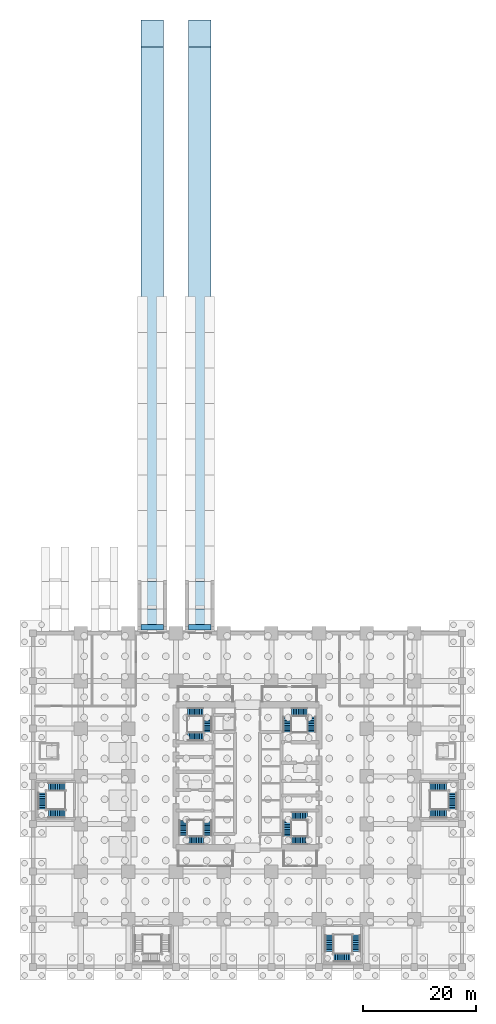
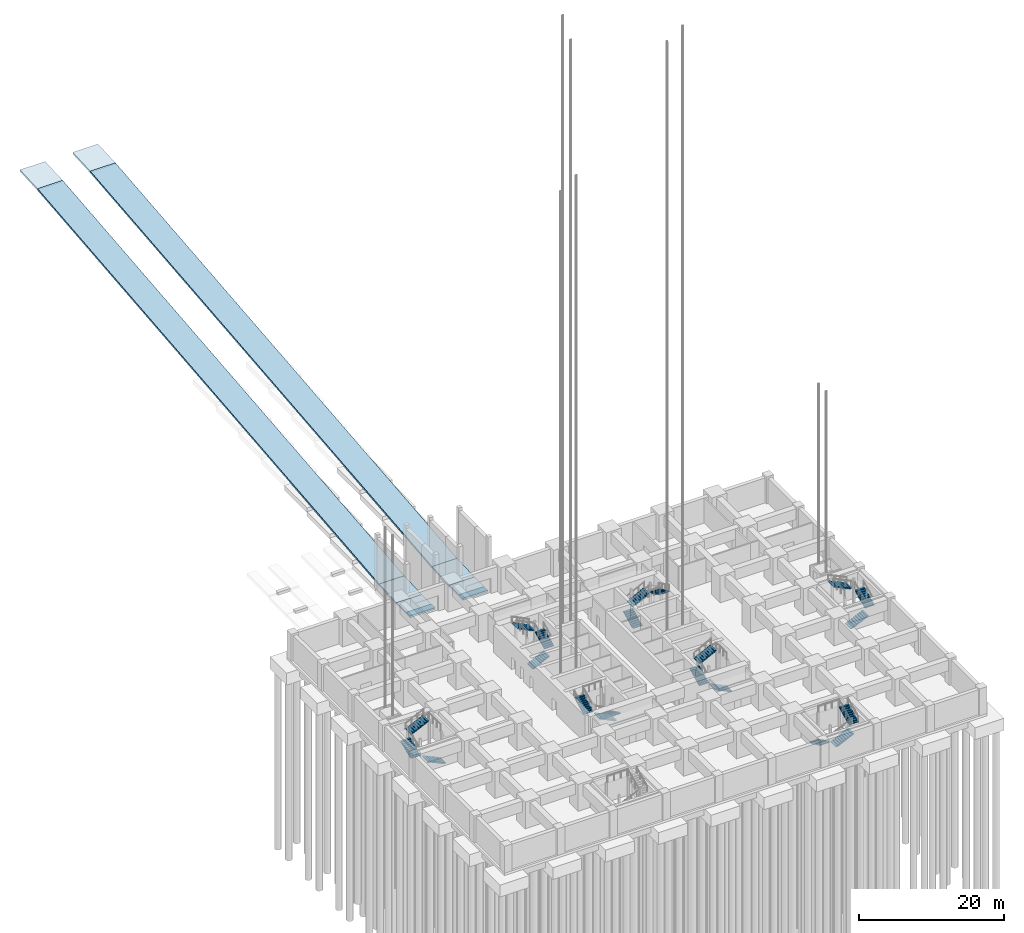
# One storey, part 11 of 28: 21 stair flights, 8 slabs, 2 ramps, 7 elements without a shape of their own.
"""IFC4 building model written with IfcOpenShell, lengths in metres."""

import ifcopenshell
import ifcopenshell.guid

model = None  # the IFC model being written
_history = None  # IfcOwnerHistory: only IFC2X3 demands one
_inside = {}  # id of a spatial element -> (the spatial element, [elements in it])
_under = {}  # id of a project, library or spatial element -> (it, [spatial elements below it])
_declared = {}  # id of a project -> (the project, [libraries it declares])
_typed = {}  # id of a type object -> (the type object, [elements of that type])
_made_of = {}  # id of a material, layer set ... -> (it, [elements and type objects made of it])


def new_model(schema):
    """Start an empty IFC model of exactly this schema.

    Asked for "IFC4X3", IfcOpenShell would pick the latest addendum, in which some entities
    have other attributes; the version numbers below select the first issue.
    IFC2X3 requires an IfcOwnerHistory on every rooted entity: one is made here for all.
    """
    global model, _history
    if schema == "IFC4X3":
        model = ifcopenshell.file(schema_version=(4, 3, 0, 0))
    else:
        model = ifcopenshell.file(schema=schema)
    _inside.clear()
    _under.clear()
    _declared.clear()
    _typed.clear()
    _made_of.clear()
    _history = None
    if model.schema == "IFC2X3":
        org = make("IfcOrganization", Name="unknown")
        user = make(
            "IfcPersonAndOrganization",
            ThePerson=make("IfcPerson", FamilyName="unknown"),
            TheOrganization=org,
        )
        app = make(
            "IfcApplication",
            ApplicationDeveloper=org,
            Version="unknown",
            ApplicationFullName="unknown",
            ApplicationIdentifier="unknown",
        )
        _history = make(
            "IfcOwnerHistory",
            OwningUser=user,
            OwningApplication=app,
            ChangeAction="ADDED",
            CreationDate=0,
        )
    return model


def make(cls, **values):
    """One entity of the class cls with the attributes given. An attribute that is None is left unset."""
    return model.create_entity(
        cls, **{name: value for name, value in values.items() if value is not None}
    )


def rooted(cls, **values):
    """An entity with a GlobalId (a new one), such as an element, a storey or a relation."""
    return make(cls, GlobalId=ifcopenshell.guid.new(), OwnerHistory=_history, **values)


def si_unit(unit_type, name, prefix=None):
    """IfcSIUnit, for example si_unit("LENGTHUNIT", "METRE", prefix="MILLI")."""
    return make("IfcSIUnit", UnitType=unit_type, Prefix=prefix, Name=name)


def assignment(units):
    """IfcUnitAssignment: the units of a project."""
    return None if units is None else make("IfcUnitAssignment", Units=units)


def point(xyz):
    """IfcCartesianPoint."""
    return None if xyz is None else make("IfcCartesianPoint", Coordinates=xyz)


def direction(xyz):
    """IfcDirection."""
    return None if xyz is None else make("IfcDirection", DirectionRatios=xyz)


def frame(location, z_axis=None, x_axis=None):
    """IfcAxis2Placement3D, a coordinate frame: its origin and axes. An axis left out is left unset."""
    return make(
        "IfcAxis2Placement3D",
        Location=point(location),
        Axis=direction(z_axis),
        RefDirection=direction(x_axis),
    )


def origin():
    """The frame at (0, 0, 0) with its axes left unset."""
    return frame((0.0, 0.0, 0.0))


def place(relative_to, where):
    """IfcLocalPlacement: puts the frame where relative to a parent placement (None: the world)."""
    return make(
        "IfcLocalPlacement", PlacementRelTo=relative_to, RelativePlacement=where
    )


def context(
    kind, dimensions, precision=None, world=None, true_north=None, identifier=None
):
    """IfcGeometricRepresentationContext, for example the 3D "Model" context."""
    return make(
        "IfcGeometricRepresentationContext",
        ContextIdentifier=identifier,
        ContextType=kind,
        CoordinateSpaceDimension=dimensions,
        Precision=precision,
        WorldCoordinateSystem=world,
        TrueNorth=true_north,
    )


def subcontext(parent, identifier, kind, view, scale=None):
    """IfcGeometricRepresentationSubContext, for example "Body" below "Model"."""
    return make(
        "IfcGeometricRepresentationSubContext",
        ContextIdentifier=identifier,
        ContextType=kind,
        ParentContext=parent,
        TargetScale=scale,
        TargetView=view,
    )


def project(units=None, contexts=None):
    """IfcProject with its units and contexts."""
    return rooted(
        "IfcProject",
        Name="project",
        RepresentationContexts=contexts,
        UnitsInContext=assignment(units),
    )


def spatial(cls, under=None, at=None, **own):
    """A site, building, storey or space (cls), placed at a placement, below another one or the project."""
    s = rooted(cls, ObjectPlacement=at, **own)
    if under is not None:
        _under.setdefault(under.id(), (under, []))[1].append(s)
    return s


def polyline(points):
    """IfcPolyline through the points."""
    return make("IfcPolyline", Points=[point(p) for p in points])


def outline(outer, holes=None, kind="AREA"):
    """IfcArbitraryClosedProfileDef: a profile drawn as a closed curve; with holes, ...WithVoids."""
    if holes is None:
        return make("IfcArbitraryClosedProfileDef", ProfileType=kind, OuterCurve=outer)
    return make(
        "IfcArbitraryProfileDefWithVoids",
        ProfileType=kind,
        OuterCurve=outer,
        InnerCurves=holes,
    )


def extrude(swept, where, along, depth):
    """IfcExtrudedAreaSolid: the profile swept, set in the frame where, extruded along a direction by depth."""
    return make(
        "IfcExtrudedAreaSolid",
        SweptArea=swept,
        Position=where,
        ExtrudedDirection=direction(along),
        Depth=depth,
    )


def shape(context_of_items, identifier, shape_type, items):
    """IfcShapeRepresentation: the items that make up one representation, for example the "Body"."""
    return make(
        "IfcShapeRepresentation",
        ContextOfItems=context_of_items,
        RepresentationIdentifier=identifier,
        RepresentationType=shape_type,
        Items=items,
    )


def material(Name=None, Category=None):
    """IfcMaterial."""
    return make("IfcMaterial", Name=Name, Category=Category)


def layer(
    of_material, thickness, ventilated=None, Name=None, Category=None, Priority=None
):
    """IfcMaterialLayer: one layer of a wall or slab, of a material (None: an air gap)."""
    return make(
        "IfcMaterialLayer",
        Material=of_material,
        LayerThickness=thickness,
        IsVentilated=ventilated,
        Name=Name,
        Category=Category,
        Priority=Priority,
    )


def layer_set(layers, Name=None):
    """IfcMaterialLayerSet."""
    return make("IfcMaterialLayerSet", MaterialLayers=layers, LayerSetName=Name)


def made_of(thing, what):
    """Note that an element or type object is made of a material, layer set ...; save() writes the relation."""
    if what is not None:
        _made_of.setdefault(what.id(), (what, []))[1].append(thing)
    return thing


def type_object(cls, material=None, **own):
    """A type object (cls), such as IfcWallType, which elements share."""
    return made_of(rooted(cls, **own), material)


def element(
    cls,
    number,
    at=None,
    inside=None,
    cuts=None,
    type_object=None,
    material=None,
    context=None,
    identifier="Body",
    shape_type=None,
    held_by="IfcProductDefinitionShape",
    body=None,
    shapes=None,
    **own,
):
    """One element of the class cls, such as IfcWall. Its Tag is "e" and its number.

    at: its placement. inside: the storey or other place that contains it. cuts: it is an
    opening in that element (IfcRelVoidsElement). A single representation is given by context,
    identifier, shape_type and body (its items); several are given by shapes. held_by: the class
    of the entity that holds the representations. save() writes the other relations.
    """
    e = rooted(cls, Tag="e%d" % number, ObjectPlacement=at, **own)
    if body is not None:
        shapes = [shape(context, identifier, shape_type, body)]
    if shapes is not None:
        e.Representation = make(held_by, Representations=shapes)
    if inside is not None:
        _inside.setdefault(inside.id(), (inside, []))[1].append(e)
    if cuts is not None:
        rooted(
            "IfcRelVoidsElement", RelatingBuildingElement=cuts, RelatedOpeningElement=e
        )
    if type_object is not None:
        _typed.setdefault(type_object.id(), (type_object, []))[1].append(e)
    return made_of(e, material)


def aggregate(whole, parts):
    """IfcRelAggregates: a whole, such as a stair, and the parts it consists of."""
    return rooted("IfcRelAggregates", RelatingObject=whole, RelatedObjects=parts)


def save(model, path):
    """Write the relations noted so far, then the file.

    IfcRelAggregates (storeys below a building ...), IfcRelContainedInSpatialStructure (elements
    in a storey), IfcRelDefinesByType, IfcRelAssociatesMaterial and IfcRelDeclares: one each for
    every whole, place, type object, material and project.
    """
    for whole, parts in _under.values():
        aggregate(whole, parts)
    for where, things in _inside.values():
        rooted(
            "IfcRelContainedInSpatialStructure",
            RelatedElements=things,
            RelatingStructure=where,
        )
    for kind, things in _typed.values():
        rooted("IfcRelDefinesByType", RelatedObjects=things, RelatingType=kind)
    for what, things in _made_of.values():
        rooted("IfcRelAssociatesMaterial", RelatedObjects=things, RelatingMaterial=what)
    for by, libraries in _declared.values():
        rooted("IfcRelDeclares", RelatingContext=by, RelatedDefinitions=libraries)
    model.write(path)


model = new_model("IFC4")

# Units and contexts
model_context = context("Model", 3, precision=1e-05, world=origin(), true_north=direction((0.0, 1.0)))
body_context = subcontext(model_context, "Body", "Model", "MODEL_VIEW")
ifc_project = project(units=[si_unit("LENGTHUNIT", "METRE"), si_unit("AREAUNIT", "SQUARE_METRE"), si_unit("VOLUMEUNIT", "CUBIC_METRE"), si_unit("PLANEANGLEUNIT", "RADIAN"), si_unit("MASSUNIT", "GRAM", prefix="KILO")], contexts=[model_context])

# Slab
ifc_material = material(Name="Concrete M40", Category="concrete")
ifc_layer_1 = layer(ifc_material, 0.300048828125)
ifc_layer_set_1 = layer_set([ifc_layer_1], Name="Concrete M40")
slab_type_1 = type_object("IfcSlabType", Name="RL1 300 concrete ramp apron", PredefinedType="LANDING", material=ifc_layer_set_1)
site_placement = place(None, origin())
building_placement = place(site_placement, origin())
storey_placement = place(building_placement, frame((0.0, 0.0, -9.89990234375)))
slab_1_placement = place(storey_placement, frame((19.0, 59.39990234375, 0.0), z_axis=(0.0, 0.0, 1.0), x_axis=(1.0, 0.0, 0.0)))
slab_1 = element("IfcSlab", 1, at=slab_1_placement, type_object=slab_type_1, Name="Ramp 3 apron", PredefinedType="LANDING", context=body_context, shape_type="SweptSolid", body=[
    extrude(outline(polyline([(0.0, 0.0), (4.0, 0.0), (4.0, 3.700195312), (0.0, 3.700195312), (0.0, 0.0)])), origin(), (0.0, 0.0, -1.0), 0.300048828125),
])

slab_2_placement = place(storey_placement, frame((27.39990234375, 59.39990234375, 0.0), z_axis=(0.0, 0.0, 1.0), x_axis=(1.0, 0.0, 0.0)))
slab_2 = element("IfcSlab", 2, at=slab_2_placement, type_object=slab_type_1, Name="Ramp 4 apron", PredefinedType="LANDING", context=body_context, shape_type="SweptSolid", body=[
    extrude(outline(polyline([(0.0, 0.0), (4.0, 0.0), (4.0, 3.700195312), (0.0, 3.700195312), (0.0, 0.0)])), origin(), (0.0, 0.0, -1.0), 0.300048828125),
])

ifc_layer_2 = layer(ifc_material, 0.300048828125)
ifc_layer_set_2 = layer_set([ifc_layer_2], Name="Concrete M40")
slab_type_2 = type_object("IfcSlabType", Name="RP1 300 concrete vehicle ramp slab, 4000 wide", PredefinedType="FLOOR", material=ifc_layer_set_2)
slab_3_placement = place(storey_placement, frame((19.0, 63.10009765625, 0.0), z_axis=(0.0, -0.049937616944, 0.998752338878), x_axis=(1.0, 0.0, 0.0)))
slab_3 = element("IfcSlab", 3, at=slab_3_placement, type_object=slab_type_2, Name="Ramp 3 flight 1", PredefinedType="FLOOR", context=body_context, shape_type="SweptSolid", body=[
    extrude(outline(polyline([(0.0, 0.0), (4.0, 0.0), (4.0, 4.805800698), (0.0, 4.805800698), (0.0, 0.0)])), origin(), (0.0, -0.049937616944, -0.998752338878), 0.30029296875),
])

slab_4_placement = place(storey_placement, frame((19.0, 67.89990234375, 0.239990234375), z_axis=(0.0, -0.099502697691, 0.995037292342), x_axis=(1.0, 0.0, 0.0)))
slab_4 = element("IfcSlab", 4, at=slab_4_placement, type_object=slab_type_2, Name="Ramp 3 flight 2", PredefinedType="FLOOR", context=body_context, shape_type="SweptSolid", body=[
    extrude(outline(polyline([(0.0, 0.0), (4.0, 0.0), (4.0, 94.67001492), (0.0, 94.67001492), (0.0, 0.0)])), origin(), (0.0, -0.099502697691, -0.995037292342), 0.301513671875),
])

slab_5_placement = place(storey_placement, frame((19.0, 162.10009765625, 9.659912109375), z_axis=(0.0, -0.049937616944, 0.998752338878), x_axis=(1.0, 0.0, 0.0)))
slab_5 = element("IfcSlab", 5, at=slab_5_placement, type_object=slab_type_2, Name="Ramp 3 flight 3", PredefinedType="FLOOR", context=body_context, shape_type="SweptSolid", body=[
    extrude(outline(polyline([(0.0, 0.0), (4.0, 0.0), (4.0, 4.805800698), (0.0, 4.805800698), (0.0, 0.0)])), origin(), (0.0, -0.049937616944, -0.998752338878), 0.30029296875),
])

slab_6_placement = place(storey_placement, frame((27.39990234375, 63.10009765625, 0.0), z_axis=(0.0, -0.049937616944, 0.998752338878), x_axis=(1.0, 0.0, 0.0)))
slab_6 = element("IfcSlab", 6, at=slab_6_placement, type_object=slab_type_2, Name="Ramp 4 flight 1", PredefinedType="FLOOR", context=body_context, shape_type="SweptSolid", body=[
    extrude(outline(polyline([(0.0, 0.0), (4.0, 0.0), (4.0, 4.805800698), (0.0, 4.805800698), (0.0, 0.0)])), origin(), (0.0, -0.049937616944, -0.998752338878), 0.30029296875),
])

slab_7_placement = place(storey_placement, frame((27.39990234375, 67.89990234375, 0.239990234375), z_axis=(0.0, -0.099502697691, 0.995037292342), x_axis=(1.0, 0.0, 0.0)))
slab_7 = element("IfcSlab", 7, at=slab_7_placement, type_object=slab_type_2, Name="Ramp 4 flight 2", PredefinedType="FLOOR", context=body_context, shape_type="SweptSolid", body=[
    extrude(outline(polyline([(0.0, 0.0), (4.0, 0.0), (4.0, 94.67001492), (0.0, 94.67001492), (0.0, 0.0)])), origin(), (0.0, -0.099502697691, -0.995037292342), 0.301513671875),
])

slab_8_placement = place(storey_placement, frame((27.39990234375, 162.10009765625, 9.659912109375), z_axis=(0.0, -0.049937616944, 0.998752338878), x_axis=(1.0, 0.0, 0.0)))
slab_8 = element("IfcSlab", 8, at=slab_8_placement, type_object=slab_type_2, Name="Ramp 4 flight 3", PredefinedType="FLOOR", context=body_context, shape_type="SweptSolid", body=[
    extrude(outline(polyline([(0.0, 0.0), (4.0, 0.0), (4.0, 4.805800698), (0.0, 4.805800698), (0.0, 0.0)])), origin(), (0.0, -0.049937616944, -0.998752338878), 0.30029296875),
])

# Site, building, storey
site = spatial("IfcSite", under=ifc_project, at=site_placement, CompositionType="ELEMENT")
building = spatial("IfcBuilding", under=site, at=building_placement, Name="Rekha Terrace Tower", CompositionType="ELEMENT")
storey = spatial("IfcBuildingStorey", under=building, at=storey_placement, Name="B-02", CompositionType="ELEMENT", Elevation=-9.89990234375)

# Stair, stair flights
stair_type_1 = type_object("IfcStairType", Name="ST30 stair, 30 risers of 150, going 300, 1500 wide flights, 3 flights", PredefinedType="HALF_TURN_STAIR", material=ifc_material)
stair_1_placement = place(storey_placement, origin())
stair_1 = element("IfcStair", 9, at=stair_1_placement, inside=storey, type_object=stair_type_1, Name="Stair ST1 B-02 to B-01", PredefinedType="HALF_TURN_STAIR")
stair_flight_type_1 = type_object("IfcStairFlightType", Name="SF10 stair flight, 10 risers of 150, going 300, 1500 wide", PredefinedType="STRAIGHT", material=ifc_material)
stair_flight_1_placement = place(storey_placement, frame((30.77490234375, 25.824951171875, 0.0), z_axis=(0.0, 0.0, 1.0), x_axis=(0.0, -1.0, 0.0)))
stair_flight_1 = element("IfcStairFlight", 10, at=stair_flight_1_placement, type_object=stair_flight_type_1, Name="ST1 flight 1", NumberOfRisers=10, NumberOfTreads=9, PredefinedType="STRAIGHT", RiserHeight=0.15, TreadLength=0.3, context=body_context, shape_type="SweptSolid", body=[
    extrude(outline(polyline([(0.0, 0.0), (0.0, 0.14990234375), (0.300048828125, 0.14990234375), (0.300048828125, 0.300048828125), (0.60009765625, 0.300048828125), (0.60009765625, 0.449951171875), (0.89990234375, 0.449951171875), (0.89990234375, 0.60009765625), (1.199951171875, 0.60009765625), (1.199951171875, 0.75), (1.5, 0.75), (1.5, 0.89990234375), (1.800048828125, 0.89990234375), (1.800048828125, 1.050048828125), (2.10009765625, 1.050048828125), (2.10009765625, 1.199951171875), (2.39990234375, 1.199951171875), (2.39990234375, 1.35009765625), (2.699951171875, 1.35009765625), (2.699951171875, 1.5), (2.699951171875, 1.182373046875), (0.335205078125, 0.0), (0.0, 0.0)])), frame((0.0, 0.75, 0.0), z_axis=(0.0, -1.0, 0.0), x_axis=(1.0, 0.0, 0.0)), (0.0, 0.0, 1.0), 1.5),
])
stair_flight_2_placement = place(storey_placement, frame((30.02490234375, 22.300048828125, 1.5), z_axis=(0.0, 0.0, 1.0), x_axis=(-1.0, 0.0, 0.0)))
stair_flight_2 = element("IfcStairFlight", 11, at=stair_flight_2_placement, type_object=stair_flight_type_1, Name="ST1 flight 2", NumberOfRisers=10, NumberOfTreads=9, PredefinedType="STRAIGHT", RiserHeight=0.15, TreadLength=0.3, context=body_context, shape_type="SweptSolid", body=[
    extrude(outline(polyline([(0.0, 0.0), (0.0, 0.14990234375), (0.300048828125, 0.14990234375), (0.300048828125, 0.300048828125), (0.60009765625, 0.300048828125), (0.60009765625, 0.449951171875), (0.89990234375, 0.449951171875), (0.89990234375, 0.60009765625), (1.199951171875, 0.60009765625), (1.199951171875, 0.75), (1.5, 0.75), (1.5, 0.89990234375), (1.800048828125, 0.89990234375), (1.800048828125, 1.050048828125), (2.10009765625, 1.050048828125), (2.10009765625, 1.199951171875), (2.39990234375, 1.199951171875), (2.39990234375, 1.35009765625), (2.699951171875, 1.35009765625), (2.699951171875, 1.5), (2.699951171875, 1.182373046875), (0.335205078125, 0.0), (0.0, 0.0)])), frame((0.0, 0.75, 0.0), z_axis=(0.0, -1.0, 0.0), x_axis=(1.0, 0.0, 0.0)), (0.0, 0.0, 1.0), 1.5),
])
stair_flight_3_placement = place(storey_placement, frame((26.5, 23.125, 3.0), z_axis=(0.0, 0.0, 1.0), x_axis=(0.0, 1.0, 0.0)))
stair_flight_3 = element("IfcStairFlight", 12, at=stair_flight_3_placement, type_object=stair_flight_type_1, Name="ST1 flight 3", NumberOfRisers=10, NumberOfTreads=9, PredefinedType="STRAIGHT", RiserHeight=0.15, TreadLength=0.3, context=body_context, shape_type="SweptSolid", body=[
    extrude(outline(polyline([(0.0, 0.0), (0.0, 0.14990234375), (0.300048828125, 0.14990234375), (0.300048828125, 0.300048828125), (0.60009765625, 0.300048828125), (0.60009765625, 0.449951171875), (0.89990234375, 0.449951171875), (0.89990234375, 0.60009765625), (1.199951171875, 0.60009765625), (1.199951171875, 0.75), (1.5, 0.75), (1.5, 0.89990234375), (1.800048828125, 0.89990234375), (1.800048828125, 1.050048828125), (2.10009765625, 1.050048828125), (2.10009765625, 1.199951171875), (2.39990234375, 1.199951171875), (2.39990234375, 1.35009765625), (2.699951171875, 1.35009765625), (2.699951171875, 1.5), (2.699951171875, 1.182373046875), (0.335205078125, 0.0), (0.0, 0.0)])), frame((0.0, 0.75, 0.0), z_axis=(0.0, -1.0, 0.0), x_axis=(1.0, 0.0, 0.0)), (0.0, 0.0, 1.0), 1.5),
])
aggregate(stair_1, [stair_flight_1, stair_flight_2, stair_flight_3])

stair_2_placement = place(storey_placement, origin())
stair_2 = element("IfcStair", 13, at=stair_2_placement, inside=storey, type_object=stair_type_1, Name="Stair ST2 B-02 to B-01", PredefinedType="HALF_TURN_STAIR")
stair_flight_4_placement = place(storey_placement, frame((44.824951171875, 41.375, 0.0), z_axis=(0.0, 0.0, 1.0), x_axis=(0.0, 1.0, 0.0)))
stair_flight_4 = element("IfcStairFlight", 14, at=stair_flight_4_placement, type_object=stair_flight_type_1, Name="ST2 flight 1", NumberOfRisers=10, NumberOfTreads=9, PredefinedType="STRAIGHT", RiserHeight=0.15, TreadLength=0.3, context=body_context, shape_type="SweptSolid", body=[
    extrude(outline(polyline([(0.0, 0.0), (0.0, 0.14990234375), (0.300048828125, 0.14990234375), (0.300048828125, 0.300048828125), (0.60009765625, 0.300048828125), (0.60009765625, 0.449951171875), (0.89990234375, 0.449951171875), (0.89990234375, 0.60009765625), (1.199951171875, 0.60009765625), (1.199951171875, 0.75), (1.5, 0.75), (1.5, 0.89990234375), (1.800048828125, 0.89990234375), (1.800048828125, 1.050048828125), (2.10009765625, 1.050048828125), (2.10009765625, 1.199951171875), (2.39990234375, 1.199951171875), (2.39990234375, 1.35009765625), (2.699951171875, 1.35009765625), (2.699951171875, 1.5), (2.699951171875, 1.182373046875), (0.335205078125, 0.0), (0.0, 0.0)])), frame((0.0, 0.75, 0.0), z_axis=(0.0, -1.0, 0.0), x_axis=(1.0, 0.0, 0.0)), (0.0, 0.0, 1.0), 1.5),
])
stair_flight_5_placement = place(storey_placement, frame((45.574951171875, 44.89990234375, 1.5), z_axis=(0.0, 0.0, 1.0), x_axis=(1.0, 0.0, 0.0)))
stair_flight_5 = element("IfcStairFlight", 15, at=stair_flight_5_placement, type_object=stair_flight_type_1, Name="ST2 flight 2", NumberOfRisers=10, NumberOfTreads=9, PredefinedType="STRAIGHT", RiserHeight=0.15, TreadLength=0.3, context=body_context, shape_type="SweptSolid", body=[
    extrude(outline(polyline([(0.0, 0.0), (0.0, 0.14990234375), (0.300048828125, 0.14990234375), (0.300048828125, 0.300048828125), (0.60009765625, 0.300048828125), (0.60009765625, 0.449951171875), (0.89990234375, 0.449951171875), (0.89990234375, 0.60009765625), (1.199951171875, 0.60009765625), (1.199951171875, 0.75), (1.5, 0.75), (1.5, 0.89990234375), (1.800048828125, 0.89990234375), (1.800048828125, 1.050048828125), (2.10009765625, 1.050048828125), (2.10009765625, 1.199951171875), (2.39990234375, 1.199951171875), (2.39990234375, 1.35009765625), (2.699951171875, 1.35009765625), (2.699951171875, 1.5), (2.699951171875, 1.182373046875), (0.335205078125, 0.0), (0.0, 0.0)])), frame((0.0, 0.75, 0.0), z_axis=(0.0, -1.0, 0.0), x_axis=(1.0, 0.0, 0.0)), (0.0, 0.0, 1.0), 1.5),
])
stair_flight_6_placement = place(storey_placement, frame((49.10009765625, 44.074951171875, 3.0), z_axis=(0.0, 0.0, 1.0), x_axis=(0.0, -1.0, 0.0)))
stair_flight_6 = element("IfcStairFlight", 16, at=stair_flight_6_placement, type_object=stair_flight_type_1, Name="ST2 flight 3", NumberOfRisers=10, NumberOfTreads=9, PredefinedType="STRAIGHT", RiserHeight=0.15, TreadLength=0.3, context=body_context, shape_type="SweptSolid", body=[
    extrude(outline(polyline([(0.0, 0.0), (0.0, 0.14990234375), (0.300048828125, 0.14990234375), (0.300048828125, 0.300048828125), (0.60009765625, 0.300048828125), (0.60009765625, 0.449951171875), (0.89990234375, 0.449951171875), (0.89990234375, 0.60009765625), (1.199951171875, 0.60009765625), (1.199951171875, 0.75), (1.5, 0.75), (1.5, 0.89990234375), (1.800048828125, 0.89990234375), (1.800048828125, 1.050048828125), (2.10009765625, 1.050048828125), (2.10009765625, 1.199951171875), (2.39990234375, 1.199951171875), (2.39990234375, 1.35009765625), (2.699951171875, 1.35009765625), (2.699951171875, 1.5), (2.699951171875, 1.182373046875), (0.335205078125, 0.0), (0.0, 0.0)])), frame((0.0, 0.75, 0.0), z_axis=(0.0, -1.0, 0.0), x_axis=(1.0, 0.0, 0.0)), (0.0, 0.0, 1.0), 1.5),
])
aggregate(stair_2, [stair_flight_4, stair_flight_5, stair_flight_6])

stair_3_placement = place(storey_placement, origin())
stair_3 = element("IfcStair", 17, at=stair_3_placement, inside=storey, type_object=stair_type_1, Name="Stair ST3 B-02 to B-01", PredefinedType="HALF_TURN_STAIR")
stair_flight_7_placement = place(storey_placement, frame((48.35009765625, 22.300048828125, 0.0), z_axis=(0.0, 0.0, 1.0), x_axis=(-1.0, 0.0, 0.0)))
stair_flight_7 = element("IfcStairFlight", 18, at=stair_flight_7_placement, type_object=stair_flight_type_1, Name="ST3 flight 1", NumberOfRisers=10, NumberOfTreads=9, PredefinedType="STRAIGHT", RiserHeight=0.15, TreadLength=0.3, context=body_context, shape_type="SweptSolid", body=[
    extrude(outline(polyline([(0.0, 0.0), (0.0, 0.14990234375), (0.300048828125, 0.14990234375), (0.300048828125, 0.300048828125), (0.60009765625, 0.300048828125), (0.60009765625, 0.449951171875), (0.89990234375, 0.449951171875), (0.89990234375, 0.60009765625), (1.199951171875, 0.60009765625), (1.199951171875, 0.75), (1.5, 0.75), (1.5, 0.89990234375), (1.800048828125, 0.89990234375), (1.800048828125, 1.050048828125), (2.10009765625, 1.050048828125), (2.10009765625, 1.199951171875), (2.39990234375, 1.199951171875), (2.39990234375, 1.35009765625), (2.699951171875, 1.35009765625), (2.699951171875, 1.5), (2.699951171875, 1.182373046875), (0.335205078125, 0.0), (0.0, 0.0)])), frame((0.0, 0.75, 0.0), z_axis=(0.0, -1.0, 0.0), x_axis=(1.0, 0.0, 0.0)), (0.0, 0.0, 1.0), 1.5),
])
stair_flight_8_placement = place(storey_placement, frame((44.824951171875, 23.050048828125, 1.5), z_axis=(0.0, 0.0, 1.0), x_axis=(0.0, 1.0, 0.0)))
stair_flight_8 = element("IfcStairFlight", 19, at=stair_flight_8_placement, type_object=stair_flight_type_1, Name="ST3 flight 2", NumberOfRisers=10, NumberOfTreads=9, PredefinedType="STRAIGHT", RiserHeight=0.15, TreadLength=0.3, context=body_context, shape_type="SweptSolid", body=[
    extrude(outline(polyline([(0.0, 0.0), (0.0, 0.14990234375), (0.300048828125, 0.14990234375), (0.300048828125, 0.300048828125), (0.60009765625, 0.300048828125), (0.60009765625, 0.449951171875), (0.89990234375, 0.449951171875), (0.89990234375, 0.60009765625), (1.199951171875, 0.60009765625), (1.199951171875, 0.75), (1.5, 0.75), (1.5, 0.89990234375), (1.800048828125, 0.89990234375), (1.800048828125, 1.050048828125), (2.10009765625, 1.050048828125), (2.10009765625, 1.199951171875), (2.39990234375, 1.199951171875), (2.39990234375, 1.35009765625), (2.699951171875, 1.35009765625), (2.699951171875, 1.5), (2.699951171875, 1.182373046875), (0.335205078125, 0.0), (0.0, 0.0)])), frame((0.0, 0.75, 0.0), z_axis=(0.0, -1.0, 0.0), x_axis=(1.0, 0.0, 0.0)), (0.0, 0.0, 1.0), 1.5),
])
stair_flight_9_placement = place(storey_placement, frame((45.64990234375, 26.574951171875, 3.0), z_axis=(0.0, 0.0, 1.0), x_axis=(1.0, 0.0, 0.0)))
stair_flight_9 = element("IfcStairFlight", 20, at=stair_flight_9_placement, type_object=stair_flight_type_1, Name="ST3 flight 3", NumberOfRisers=10, NumberOfTreads=9, PredefinedType="STRAIGHT", RiserHeight=0.15, TreadLength=0.3, context=body_context, shape_type="SweptSolid", body=[
    extrude(outline(polyline([(0.0, 0.0), (0.0, 0.14990234375), (0.300048828125, 0.14990234375), (0.300048828125, 0.300048828125), (0.60009765625, 0.300048828125), (0.60009765625, 0.449951171875), (0.89990234375, 0.449951171875), (0.89990234375, 0.60009765625), (1.199951171875, 0.60009765625), (1.199951171875, 0.75), (1.5, 0.75), (1.5, 0.89990234375), (1.800048828125, 0.89990234375), (1.800048828125, 1.050048828125), (2.10009765625, 1.050048828125), (2.10009765625, 1.199951171875), (2.39990234375, 1.199951171875), (2.39990234375, 1.35009765625), (2.699951171875, 1.35009765625), (2.699951171875, 1.5), (2.699951171875, 1.182373046875), (0.335205078125, 0.0), (0.0, 0.0)])), frame((0.0, 0.75, 0.0), z_axis=(0.0, -1.0, 0.0), x_axis=(1.0, 0.0, 0.0)), (0.0, 0.0, 1.0), 1.5),
])
aggregate(stair_3, [stair_flight_7, stair_flight_8, stair_flight_9])

stair_4_placement = place(storey_placement, origin())
stair_4 = element("IfcStair", 21, at=stair_4_placement, inside=storey, type_object=stair_type_1, Name="Stair ST4 B-02 to B-01", PredefinedType="HALF_TURN_STAIR")
stair_flight_10_placement = place(storey_placement, frame((27.25, 40.625, 0.0), z_axis=(0.0, 0.0, 1.0), x_axis=(1.0, 0.0, 0.0)))
stair_flight_10 = element("IfcStairFlight", 22, at=stair_flight_10_placement, type_object=stair_flight_type_1, Name="ST4 flight 1", NumberOfRisers=10, NumberOfTreads=9, PredefinedType="STRAIGHT", RiserHeight=0.15, TreadLength=0.3, context=body_context, shape_type="SweptSolid", body=[
    extrude(outline(polyline([(0.0, 0.0), (0.0, 0.14990234375), (0.300048828125, 0.14990234375), (0.300048828125, 0.300048828125), (0.60009765625, 0.300048828125), (0.60009765625, 0.449951171875), (0.89990234375, 0.449951171875), (0.89990234375, 0.60009765625), (1.199951171875, 0.60009765625), (1.199951171875, 0.75), (1.5, 0.75), (1.5, 0.89990234375), (1.800048828125, 0.89990234375), (1.800048828125, 1.050048828125), (2.10009765625, 1.050048828125), (2.10009765625, 1.199951171875), (2.39990234375, 1.199951171875), (2.39990234375, 1.35009765625), (2.699951171875, 1.35009765625), (2.699951171875, 1.5), (2.699951171875, 1.182373046875), (0.335205078125, 0.0), (0.0, 0.0)])), frame((0.0, 0.75, 0.0), z_axis=(0.0, -1.0, 0.0), x_axis=(1.0, 0.0, 0.0)), (0.0, 0.0, 1.0), 1.5),
])
stair_flight_11_placement = place(storey_placement, frame((30.77490234375, 41.375, 1.5), z_axis=(0.0, 0.0, 1.0), x_axis=(0.0, 1.0, 0.0)))
stair_flight_11 = element("IfcStairFlight", 23, at=stair_flight_11_placement, type_object=stair_flight_type_1, Name="ST4 flight 2", NumberOfRisers=10, NumberOfTreads=9, PredefinedType="STRAIGHT", RiserHeight=0.15, TreadLength=0.3, context=body_context, shape_type="SweptSolid", body=[
    extrude(outline(polyline([(0.0, 0.0), (0.0, 0.14990234375), (0.300048828125, 0.14990234375), (0.300048828125, 0.300048828125), (0.60009765625, 0.300048828125), (0.60009765625, 0.449951171875), (0.89990234375, 0.449951171875), (0.89990234375, 0.60009765625), (1.199951171875, 0.60009765625), (1.199951171875, 0.75), (1.5, 0.75), (1.5, 0.89990234375), (1.800048828125, 0.89990234375), (1.800048828125, 1.050048828125), (2.10009765625, 1.050048828125), (2.10009765625, 1.199951171875), (2.39990234375, 1.199951171875), (2.39990234375, 1.35009765625), (2.699951171875, 1.35009765625), (2.699951171875, 1.5), (2.699951171875, 1.182373046875), (0.335205078125, 0.0), (0.0, 0.0)])), frame((0.0, 0.75, 0.0), z_axis=(0.0, -1.0, 0.0), x_axis=(1.0, 0.0, 0.0)), (0.0, 0.0, 1.0), 1.5),
])
stair_flight_12_placement = place(storey_placement, frame((29.949951171875, 44.89990234375, 3.0), z_axis=(0.0, 0.0, 1.0), x_axis=(-1.0, 0.0, 0.0)))
stair_flight_12 = element("IfcStairFlight", 24, at=stair_flight_12_placement, type_object=stair_flight_type_1, Name="ST4 flight 3", NumberOfRisers=10, NumberOfTreads=9, PredefinedType="STRAIGHT", RiserHeight=0.15, TreadLength=0.3, context=body_context, shape_type="SweptSolid", body=[
    extrude(outline(polyline([(0.0, 0.0), (0.0, 0.14990234375), (0.300048828125, 0.14990234375), (0.300048828125, 0.300048828125), (0.60009765625, 0.300048828125), (0.60009765625, 0.449951171875), (0.89990234375, 0.449951171875), (0.89990234375, 0.60009765625), (1.199951171875, 0.60009765625), (1.199951171875, 0.75), (1.5, 0.75), (1.5, 0.89990234375), (1.800048828125, 0.89990234375), (1.800048828125, 1.050048828125), (2.10009765625, 1.050048828125), (2.10009765625, 1.199951171875), (2.39990234375, 1.199951171875), (2.39990234375, 1.35009765625), (2.699951171875, 1.35009765625), (2.699951171875, 1.5), (2.699951171875, 1.182373046875), (0.335205078125, 0.0), (0.0, 0.0)])), frame((0.0, 0.75, 0.0), z_axis=(0.0, -1.0, 0.0), x_axis=(1.0, 0.0, 0.0)), (0.0, 0.0, 1.0), 1.5),
])
aggregate(stair_4, [stair_flight_10, stair_flight_11, stair_flight_12])

stair_type_2 = type_object("IfcStairType", Name="ST30 stair, 30 risers of 150, going 320, 1500 wide flights, 3 flights", PredefinedType="HALF_TURN_STAIR", material=ifc_material)
stair_5_placement = place(storey_placement, origin())
stair_5 = element("IfcStair", 25, at=stair_5_placement, inside=storey, type_object=stair_type_2, Name="Stair SP1 B-02 to B-01", PredefinedType="HALF_TURN_STAIR")
stair_flight_type_2 = type_object("IfcStairFlightType", Name="SF10 stair flight, 10 risers of 150, going 320, 1500 wide", PredefinedType="STRAIGHT", material=ifc_material)
stair_flight_13_placement = place(storey_placement, frame((5.60009765625, 27.050048828125, 0.0), z_axis=(0.0, 0.0, 1.0), x_axis=(-1.0, 0.0, 0.0)))
stair_flight_13 = element("IfcStairFlight", 26, at=stair_flight_13_placement, type_object=stair_flight_type_2, Name="SP1 flight 1", NumberOfRisers=10, NumberOfTreads=9, PredefinedType="STRAIGHT", RiserHeight=0.15, TreadLength=0.32, context=body_context, shape_type="SweptSolid", body=[
    extrude(outline(polyline([(0.0, 0.0), (0.0, 0.14990234375), (0.320068359375, 0.14990234375), (0.320068359375, 0.300048828125), (0.639892578125, 0.300048828125), (0.639892578125, 0.449951171875), (0.9599609375, 0.449951171875), (0.9599609375, 0.60009765625), (1.280029296875, 0.60009765625), (1.280029296875, 0.75), (1.60009765625, 0.75), (1.60009765625, 0.89990234375), (1.919921875, 0.89990234375), (1.919921875, 1.050048828125), (2.239990234375, 1.050048828125), (2.239990234375, 1.199951171875), (2.56005859375, 1.199951171875), (2.56005859375, 1.35009765625), (2.8798828125, 1.35009765625), (2.8798828125, 1.5), (2.8798828125, 1.184326171875), (0.353271484375, 0.0), (0.0, 0.0)])), frame((0.0, 0.75, 0.0), z_axis=(0.0, -1.0, 0.0), x_axis=(1.0, 0.0, 0.0)), (0.0, 0.0, 1.0), 1.5),
])
stair_flight_14_placement = place(storey_placement, frame((1.64990234375, 27.800048828125, 1.5), z_axis=(0.0, 0.0, 1.0), x_axis=(0.0, 1.0, 0.0)))
stair_flight_14 = element("IfcStairFlight", 27, at=stair_flight_14_placement, type_object=stair_flight_type_2, Name="SP1 flight 2", NumberOfRisers=10, NumberOfTreads=9, PredefinedType="STRAIGHT", RiserHeight=0.15, TreadLength=0.32, context=body_context, shape_type="SweptSolid", body=[
    extrude(outline(polyline([(0.0, 0.0), (0.0, 0.14990234375), (0.320068359375, 0.14990234375), (0.320068359375, 0.300048828125), (0.639892578125, 0.300048828125), (0.639892578125, 0.449951171875), (0.9599609375, 0.449951171875), (0.9599609375, 0.60009765625), (1.280029296875, 0.60009765625), (1.280029296875, 0.75), (1.60009765625, 0.75), (1.60009765625, 0.89990234375), (1.919921875, 0.89990234375), (1.919921875, 1.050048828125), (2.239990234375, 1.050048828125), (2.239990234375, 1.199951171875), (2.56005859375, 1.199951171875), (2.56005859375, 1.35009765625), (2.8798828125, 1.35009765625), (2.8798828125, 1.5), (2.8798828125, 1.184326171875), (0.353271484375, 0.0), (0.0, 0.0)])), frame((0.0, 0.75, 0.0), z_axis=(0.0, -1.0, 0.0), x_axis=(1.0, 0.0, 0.0)), (0.0, 0.0, 1.0), 1.5),
])
stair_flight_15_placement = place(storey_placement, frame((2.719970703125, 31.75, 3.0), z_axis=(0.0, 0.0, 1.0), x_axis=(1.0, 0.0, 0.0)))
stair_flight_15 = element("IfcStairFlight", 28, at=stair_flight_15_placement, type_object=stair_flight_type_2, Name="SP1 flight 3", NumberOfRisers=10, NumberOfTreads=9, PredefinedType="STRAIGHT", RiserHeight=0.15, TreadLength=0.32, context=body_context, shape_type="SweptSolid", body=[
    extrude(outline(polyline([(0.0, 0.0), (0.0, 0.14990234375), (0.320068359375, 0.14990234375), (0.320068359375, 0.300048828125), (0.639892578125, 0.300048828125), (0.639892578125, 0.449951171875), (0.9599609375, 0.449951171875), (0.9599609375, 0.60009765625), (1.280029296875, 0.60009765625), (1.280029296875, 0.75), (1.60009765625, 0.75), (1.60009765625, 0.89990234375), (1.919921875, 0.89990234375), (1.919921875, 1.050048828125), (2.239990234375, 1.050048828125), (2.239990234375, 1.199951171875), (2.56005859375, 1.199951171875), (2.56005859375, 1.35009765625), (2.8798828125, 1.35009765625), (2.8798828125, 1.5), (2.8798828125, 1.184326171875), (0.353271484375, 0.0), (0.0, 0.0)])), frame((0.0, 0.75, 0.0), z_axis=(0.0, -1.0, 0.0), x_axis=(1.0, 0.0, 0.0)), (0.0, 0.0, 1.0), 1.5),
])
aggregate(stair_5, [stair_flight_13, stair_flight_14, stair_flight_15])

stair_6_placement = place(storey_placement, origin())
stair_6 = element("IfcStair", 29, at=stair_6_placement, inside=storey, type_object=stair_type_2, Name="Stair SP2 B-02 to B-01", PredefinedType="HALF_TURN_STAIR")
stair_flight_16_placement = place(storey_placement, frame((70.0, 27.050048828125, 0.0), z_axis=(0.0, 0.0, 1.0), x_axis=(1.0, 0.0, 0.0)))
stair_flight_16 = element("IfcStairFlight", 30, at=stair_flight_16_placement, type_object=stair_flight_type_2, Name="SP2 flight 1", NumberOfRisers=10, NumberOfTreads=9, PredefinedType="STRAIGHT", RiserHeight=0.15, TreadLength=0.32, context=body_context, shape_type="SweptSolid", body=[
    extrude(outline(polyline([(0.0, 0.0), (0.0, 0.14990234375), (0.320068359375, 0.14990234375), (0.320068359375, 0.300048828125), (0.639892578125, 0.300048828125), (0.639892578125, 0.449951171875), (0.9599609375, 0.449951171875), (0.9599609375, 0.60009765625), (1.280029296875, 0.60009765625), (1.280029296875, 0.75), (1.60009765625, 0.75), (1.60009765625, 0.89990234375), (1.919921875, 0.89990234375), (1.919921875, 1.050048828125), (2.239990234375, 1.050048828125), (2.239990234375, 1.199951171875), (2.56005859375, 1.199951171875), (2.56005859375, 1.35009765625), (2.8798828125, 1.35009765625), (2.8798828125, 1.5), (2.8798828125, 1.184326171875), (0.353271484375, 0.0), (0.0, 0.0)])), frame((0.0, 0.75, 0.0), z_axis=(0.0, -1.0, 0.0), x_axis=(1.0, 0.0, 0.0)), (0.0, 0.0, 1.0), 1.5),
])
stair_flight_17_placement = place(storey_placement, frame((73.949951171875, 27.800048828125, 1.5), z_axis=(0.0, 0.0, 1.0), x_axis=(0.0, 1.0, 0.0)))
stair_flight_17 = element("IfcStairFlight", 31, at=stair_flight_17_placement, type_object=stair_flight_type_2, Name="SP2 flight 2", NumberOfRisers=10, NumberOfTreads=9, PredefinedType="STRAIGHT", RiserHeight=0.15, TreadLength=0.32, context=body_context, shape_type="SweptSolid", body=[
    extrude(outline(polyline([(0.0, 0.0), (0.0, 0.14990234375), (0.320068359375, 0.14990234375), (0.320068359375, 0.300048828125), (0.639892578125, 0.300048828125), (0.639892578125, 0.449951171875), (0.9599609375, 0.449951171875), (0.9599609375, 0.60009765625), (1.280029296875, 0.60009765625), (1.280029296875, 0.75), (1.60009765625, 0.75), (1.60009765625, 0.89990234375), (1.919921875, 0.89990234375), (1.919921875, 1.050048828125), (2.239990234375, 1.050048828125), (2.239990234375, 1.199951171875), (2.56005859375, 1.199951171875), (2.56005859375, 1.35009765625), (2.8798828125, 1.35009765625), (2.8798828125, 1.5), (2.8798828125, 1.184326171875), (0.353271484375, 0.0), (0.0, 0.0)])), frame((0.0, 0.75, 0.0), z_axis=(0.0, -1.0, 0.0), x_axis=(1.0, 0.0, 0.0)), (0.0, 0.0, 1.0), 1.5),
])
stair_flight_18_placement = place(storey_placement, frame((72.8798828125, 31.75, 3.0), z_axis=(0.0, 0.0, 1.0), x_axis=(-1.0, 0.0, 0.0)))
stair_flight_18 = element("IfcStairFlight", 32, at=stair_flight_18_placement, type_object=stair_flight_type_2, Name="SP2 flight 3", NumberOfRisers=10, NumberOfTreads=9, PredefinedType="STRAIGHT", RiserHeight=0.15, TreadLength=0.32, context=body_context, shape_type="SweptSolid", body=[
    extrude(outline(polyline([(0.0, 0.0), (0.0, 0.14990234375), (0.320068359375, 0.14990234375), (0.320068359375, 0.300048828125), (0.639892578125, 0.300048828125), (0.639892578125, 0.449951171875), (0.9599609375, 0.449951171875), (0.9599609375, 0.60009765625), (1.280029296875, 0.60009765625), (1.280029296875, 0.75), (1.60009765625, 0.75), (1.60009765625, 0.89990234375), (1.919921875, 0.89990234375), (1.919921875, 1.050048828125), (2.239990234375, 1.050048828125), (2.239990234375, 1.199951171875), (2.56005859375, 1.199951171875), (2.56005859375, 1.35009765625), (2.8798828125, 1.35009765625), (2.8798828125, 1.5), (2.8798828125, 1.184326171875), (0.353271484375, 0.0), (0.0, 0.0)])), frame((0.0, 0.75, 0.0), z_axis=(0.0, -1.0, 0.0), x_axis=(1.0, 0.0, 0.0)), (0.0, 0.0, 1.0), 1.5),
])
aggregate(stair_6, [stair_flight_16, stair_flight_17, stair_flight_18])

stair_7_placement = place(storey_placement, origin())
stair_7 = element("IfcStair", 33, at=stair_7_placement, inside=storey, type_object=stair_type_2, Name="Stair SP4 B-02 to B-01", PredefinedType="HALF_TURN_STAIR")
stair_flight_19_placement = place(storey_placement, frame((52.25, 5.60009765625, 0.0), z_axis=(0.0, 0.0, 1.0), x_axis=(0.0, -1.0, 0.0)))
stair_flight_19 = element("IfcStairFlight", 34, at=stair_flight_19_placement, type_object=stair_flight_type_2, Name="SP4 flight 1", NumberOfRisers=10, NumberOfTreads=9, PredefinedType="STRAIGHT", RiserHeight=0.15, TreadLength=0.32, context=body_context, shape_type="SweptSolid", body=[
    extrude(outline(polyline([(0.0, 0.0), (0.0, 0.14990234375), (0.320068359375, 0.14990234375), (0.320068359375, 0.300048828125), (0.639892578125, 0.300048828125), (0.639892578125, 0.449951171875), (0.9599609375, 0.449951171875), (0.9599609375, 0.60009765625), (1.280029296875, 0.60009765625), (1.280029296875, 0.75), (1.60009765625, 0.75), (1.60009765625, 0.89990234375), (1.919921875, 0.89990234375), (1.919921875, 1.050048828125), (2.239990234375, 1.050048828125), (2.239990234375, 1.199951171875), (2.56005859375, 1.199951171875), (2.56005859375, 1.35009765625), (2.8798828125, 1.35009765625), (2.8798828125, 1.5), (2.8798828125, 1.184326171875), (0.353271484375, 0.0), (0.0, 0.0)])), frame((0.0, 0.75, 0.0), z_axis=(0.0, -1.0, 0.0), x_axis=(1.0, 0.0, 0.0)), (0.0, 0.0, 1.0), 1.5),
])
stair_flight_20_placement = place(storey_placement, frame((53.0, 1.64990234375, 1.5), z_axis=(0.0, 0.0, 1.0), x_axis=(1.0, 0.0, 0.0)))
stair_flight_20 = element("IfcStairFlight", 35, at=stair_flight_20_placement, type_object=stair_flight_type_2, Name="SP4 flight 2", NumberOfRisers=10, NumberOfTreads=9, PredefinedType="STRAIGHT", RiserHeight=0.15, TreadLength=0.32, context=body_context, shape_type="SweptSolid", body=[
    extrude(outline(polyline([(0.0, 0.0), (0.0, 0.14990234375), (0.320068359375, 0.14990234375), (0.320068359375, 0.300048828125), (0.639892578125, 0.300048828125), (0.639892578125, 0.449951171875), (0.9599609375, 0.449951171875), (0.9599609375, 0.60009765625), (1.280029296875, 0.60009765625), (1.280029296875, 0.75), (1.60009765625, 0.75), (1.60009765625, 0.89990234375), (1.919921875, 0.89990234375), (1.919921875, 1.050048828125), (2.239990234375, 1.050048828125), (2.239990234375, 1.199951171875), (2.56005859375, 1.199951171875), (2.56005859375, 1.35009765625), (2.8798828125, 1.35009765625), (2.8798828125, 1.5), (2.8798828125, 1.184326171875), (0.353271484375, 0.0), (0.0, 0.0)])), frame((0.0, 0.75, 0.0), z_axis=(0.0, -1.0, 0.0), x_axis=(1.0, 0.0, 0.0)), (0.0, 0.0, 1.0), 1.5),
])
stair_flight_21_placement = place(storey_placement, frame((56.949951171875, 2.719970703125, 3.0), z_axis=(0.0, 0.0, 1.0), x_axis=(0.0, 1.0, 0.0)))
stair_flight_21 = element("IfcStairFlight", 36, at=stair_flight_21_placement, type_object=stair_flight_type_2, Name="SP4 flight 3", NumberOfRisers=10, NumberOfTreads=9, PredefinedType="STRAIGHT", RiserHeight=0.15, TreadLength=0.32, context=body_context, shape_type="SweptSolid", body=[
    extrude(outline(polyline([(0.0, 0.0), (0.0, 0.14990234375), (0.320068359375, 0.14990234375), (0.320068359375, 0.300048828125), (0.639892578125, 0.300048828125), (0.639892578125, 0.449951171875), (0.9599609375, 0.449951171875), (0.9599609375, 0.60009765625), (1.280029296875, 0.60009765625), (1.280029296875, 0.75), (1.60009765625, 0.75), (1.60009765625, 0.89990234375), (1.919921875, 0.89990234375), (1.919921875, 1.050048828125), (2.239990234375, 1.050048828125), (2.239990234375, 1.199951171875), (2.56005859375, 1.199951171875), (2.56005859375, 1.35009765625), (2.8798828125, 1.35009765625), (2.8798828125, 1.5), (2.8798828125, 1.184326171875), (0.353271484375, 0.0), (0.0, 0.0)])), frame((0.0, 0.75, 0.0), z_axis=(0.0, -1.0, 0.0), x_axis=(1.0, 0.0, 0.0)), (0.0, 0.0, 1.0), 1.5),
])
aggregate(stair_7, [stair_flight_19, stair_flight_20, stair_flight_21])

# Ramp
ramp_type = type_object("IfcRampType", Name="RA1 one-way vehicle ramp, 4000 wide", PredefinedType="STRAIGHT_RUN_RAMP", material=ifc_material)
ramp_1_placement = place(storey_placement, origin())
ramp_1 = element("IfcRamp", 37, at=ramp_1_placement, inside=storey, type_object=ramp_type, Name="Vehicle entrance ramp 3 to B-02", PredefinedType="STRAIGHT_RUN_RAMP", context=body_context, shape_type="SweptSolid", body=[
    extrude(outline(polyline([(19.0, 59.39990234375), (23.0, 59.39990234375), (23.0, 60.39990234375), (19.0, 60.39990234375), (19.0, 59.39990234375)])), origin(), (0.0, 0.0, 1.0), 0.0498046875),
])

aggregate(ramp_1, [slab_1, slab_3, slab_4, slab_5])

ramp_2_placement = place(storey_placement, origin())
ramp_2 = element("IfcRamp", 38, at=ramp_2_placement, inside=storey, type_object=ramp_type, Name="Vehicle exit ramp 4 to B-02", PredefinedType="STRAIGHT_RUN_RAMP", context=body_context, shape_type="SweptSolid", body=[
    extrude(outline(polyline([(27.39990234375, 59.39990234375), (31.39990234375, 59.39990234375), (31.39990234375, 60.39990234375), (27.39990234375, 60.39990234375), (27.39990234375, 59.39990234375)])), origin(), (0.0, 0.0, 1.0), 0.0498046875),
])

aggregate(ramp_2, [slab_2, slab_6, slab_7, slab_8])

save(model, "model.ifc")
